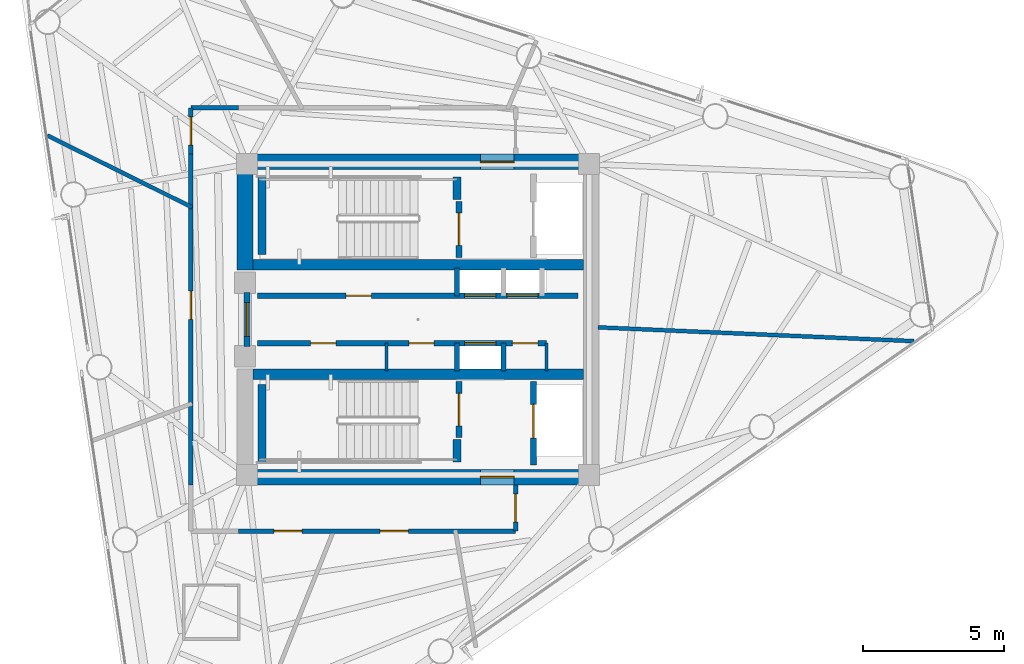
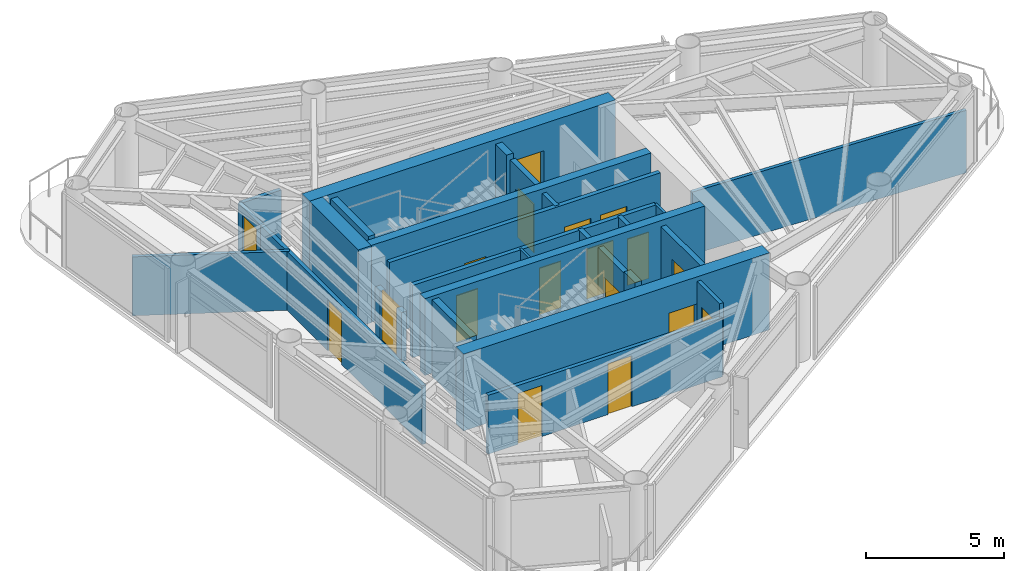
# One storey, part 5 of 9: 27 walls, 18 doors, 18 openings.
"""IFC4 building model written with IfcOpenShell, lengths in metres."""

import ifcopenshell
import ifcopenshell.guid

model = None  # the IFC model being written
_history = None  # IfcOwnerHistory: only IFC2X3 demands one
_inside = {}  # id of a spatial element -> (the spatial element, [elements in it])
_under = {}  # id of a project, library or spatial element -> (it, [spatial elements below it])
_declared = {}  # id of a project -> (the project, [libraries it declares])
_typed = {}  # id of a type object -> (the type object, [elements of that type])
_made_of = {}  # id of a material, layer set ... -> (it, [elements and type objects made of it])


def new_model(schema):
    """Start an empty IFC model of exactly this schema.

    Asked for "IFC4X3", IfcOpenShell would pick the latest addendum, in which some entities
    have other attributes; the version numbers below select the first issue.
    IFC2X3 requires an IfcOwnerHistory on every rooted entity: one is made here for all.
    """
    global model, _history
    if schema == "IFC4X3":
        model = ifcopenshell.file(schema_version=(4, 3, 0, 0))
    else:
        model = ifcopenshell.file(schema=schema)
    _inside.clear()
    _under.clear()
    _declared.clear()
    _typed.clear()
    _made_of.clear()
    _history = None
    if model.schema == "IFC2X3":
        org = make("IfcOrganization", Name="unknown")
        user = make(
            "IfcPersonAndOrganization",
            ThePerson=make("IfcPerson", FamilyName="unknown"),
            TheOrganization=org,
        )
        app = make(
            "IfcApplication",
            ApplicationDeveloper=org,
            Version="unknown",
            ApplicationFullName="unknown",
            ApplicationIdentifier="unknown",
        )
        _history = make(
            "IfcOwnerHistory",
            OwningUser=user,
            OwningApplication=app,
            ChangeAction="ADDED",
            CreationDate=0,
        )
    return model


def make(cls, **values):
    """One entity of the class cls with the attributes given. An attribute that is None is left unset."""
    return model.create_entity(
        cls, **{name: value for name, value in values.items() if value is not None}
    )


def rooted(cls, **values):
    """An entity with a GlobalId (a new one), such as an element, a storey or a relation."""
    return make(cls, GlobalId=ifcopenshell.guid.new(), OwnerHistory=_history, **values)


def si_unit(unit_type, name, prefix=None):
    """IfcSIUnit, for example si_unit("LENGTHUNIT", "METRE", prefix="MILLI")."""
    return make("IfcSIUnit", UnitType=unit_type, Prefix=prefix, Name=name)


def assignment(units):
    """IfcUnitAssignment: the units of a project."""
    return None if units is None else make("IfcUnitAssignment", Units=units)


def point(xyz):
    """IfcCartesianPoint."""
    return None if xyz is None else make("IfcCartesianPoint", Coordinates=xyz)


def direction(xyz):
    """IfcDirection."""
    return None if xyz is None else make("IfcDirection", DirectionRatios=xyz)


def frame(location, z_axis=None, x_axis=None):
    """IfcAxis2Placement3D, a coordinate frame: its origin and axes. An axis left out is left unset."""
    return make(
        "IfcAxis2Placement3D",
        Location=point(location),
        Axis=direction(z_axis),
        RefDirection=direction(x_axis),
    )


def frame_2d(location, x_axis=None):
    """IfcAxis2Placement2D, a coordinate frame in the plane: its origin and x axis."""
    return make(
        "IfcAxis2Placement2D", Location=point(location), RefDirection=direction(x_axis)
    )


def origin():
    """The frame at (0, 0, 0) with its axes left unset."""
    return frame((0.0, 0.0, 0.0))


def place(relative_to, where):
    """IfcLocalPlacement: puts the frame where relative to a parent placement (None: the world)."""
    return make(
        "IfcLocalPlacement", PlacementRelTo=relative_to, RelativePlacement=where
    )


def context(
    kind, dimensions, precision=None, world=None, true_north=None, identifier=None
):
    """IfcGeometricRepresentationContext, for example the 3D "Model" context."""
    return make(
        "IfcGeometricRepresentationContext",
        ContextIdentifier=identifier,
        ContextType=kind,
        CoordinateSpaceDimension=dimensions,
        Precision=precision,
        WorldCoordinateSystem=world,
        TrueNorth=true_north,
    )


def subcontext(parent, identifier, kind, view, scale=None):
    """IfcGeometricRepresentationSubContext, for example "Body" below "Model"."""
    return make(
        "IfcGeometricRepresentationSubContext",
        ContextIdentifier=identifier,
        ContextType=kind,
        ParentContext=parent,
        TargetScale=scale,
        TargetView=view,
    )


def project(units=None, contexts=None):
    """IfcProject with its units and contexts."""
    return rooted(
        "IfcProject",
        Name="project",
        RepresentationContexts=contexts,
        UnitsInContext=assignment(units),
    )


def spatial(cls, under=None, at=None, **own):
    """A site, building, storey or space (cls), placed at a placement, below another one or the project."""
    s = rooted(cls, ObjectPlacement=at, **own)
    if under is not None:
        _under.setdefault(under.id(), (under, []))[1].append(s)
    return s


def profile(cls, at=None, kind="AREA", **sizes):
    """A parametric profile (cls). Its sizes go by their IFC names, for example OverallWidth=200.0."""
    return make(cls, ProfileType=kind, Position=at, **sizes)


def rectangle(**sizes):
    """IfcRectangleProfileDef."""
    return profile("IfcRectangleProfileDef", **sizes)


def extrude(swept, where, along, depth):
    """IfcExtrudedAreaSolid: the profile swept, set in the frame where, extruded along a direction by depth."""
    return make(
        "IfcExtrudedAreaSolid",
        SweptArea=swept,
        Position=where,
        ExtrudedDirection=direction(along),
        Depth=depth,
    )


def shape(context_of_items, identifier, shape_type, items):
    """IfcShapeRepresentation: the items that make up one representation, for example the "Body"."""
    return make(
        "IfcShapeRepresentation",
        ContextOfItems=context_of_items,
        RepresentationIdentifier=identifier,
        RepresentationType=shape_type,
        Items=items,
    )


def material(Name=None, Category=None):
    """IfcMaterial."""
    return make("IfcMaterial", Name=Name, Category=Category)


def layer(
    of_material, thickness, ventilated=None, Name=None, Category=None, Priority=None
):
    """IfcMaterialLayer: one layer of a wall or slab, of a material (None: an air gap)."""
    return make(
        "IfcMaterialLayer",
        Material=of_material,
        LayerThickness=thickness,
        IsVentilated=ventilated,
        Name=Name,
        Category=Category,
        Priority=Priority,
    )


def layer_set(layers, Name=None):
    """IfcMaterialLayerSet."""
    return make("IfcMaterialLayerSet", MaterialLayers=layers, LayerSetName=Name)


def made_of(thing, what):
    """Note that an element or type object is made of a material, layer set ...; save() writes the relation."""
    if what is not None:
        _made_of.setdefault(what.id(), (what, []))[1].append(thing)
    return thing


def type_object(cls, material=None, **own):
    """A type object (cls), such as IfcWallType, which elements share."""
    return made_of(rooted(cls, **own), material)


def element(
    cls,
    number,
    at=None,
    inside=None,
    cuts=None,
    type_object=None,
    material=None,
    context=None,
    identifier="Body",
    shape_type=None,
    held_by="IfcProductDefinitionShape",
    body=None,
    shapes=None,
    **own,
):
    """One element of the class cls, such as IfcWall. Its Tag is "e" and its number.

    at: its placement. inside: the storey or other place that contains it. cuts: it is an
    opening in that element (IfcRelVoidsElement). A single representation is given by context,
    identifier, shape_type and body (its items); several are given by shapes. held_by: the class
    of the entity that holds the representations. save() writes the other relations.
    """
    e = rooted(cls, Tag="e%d" % number, ObjectPlacement=at, **own)
    if body is not None:
        shapes = [shape(context, identifier, shape_type, body)]
    if shapes is not None:
        e.Representation = make(held_by, Representations=shapes)
    if inside is not None:
        _inside.setdefault(inside.id(), (inside, []))[1].append(e)
    if cuts is not None:
        rooted(
            "IfcRelVoidsElement", RelatingBuildingElement=cuts, RelatedOpeningElement=e
        )
    if type_object is not None:
        _typed.setdefault(type_object.id(), (type_object, []))[1].append(e)
    return made_of(e, material)


def fill(opening, filler):
    """IfcRelFillsElement: the door or window that sits in an opening."""
    return rooted(
        "IfcRelFillsElement",
        RelatingOpeningElement=opening,
        RelatedBuildingElement=filler,
    )


def aggregate(whole, parts):
    """IfcRelAggregates: a whole, such as a stair, and the parts it consists of."""
    return rooted("IfcRelAggregates", RelatingObject=whole, RelatedObjects=parts)


def save(model, path):
    """Write the relations noted so far, then the file.

    IfcRelAggregates (storeys below a building ...), IfcRelContainedInSpatialStructure (elements
    in a storey), IfcRelDefinesByType, IfcRelAssociatesMaterial and IfcRelDeclares: one each for
    every whole, place, type object, material and project.
    """
    for whole, parts in _under.values():
        aggregate(whole, parts)
    for where, things in _inside.values():
        rooted(
            "IfcRelContainedInSpatialStructure",
            RelatedElements=things,
            RelatingStructure=where,
        )
    for kind, things in _typed.values():
        rooted("IfcRelDefinesByType", RelatedObjects=things, RelatingType=kind)
    for what, things in _made_of.values():
        rooted("IfcRelAssociatesMaterial", RelatedObjects=things, RelatingMaterial=what)
    for by, libraries in _declared.values():
        rooted("IfcRelDeclares", RelatingContext=by, RelatedDefinitions=libraries)
    model.write(path)


model = new_model("IFC4")

# Units and contexts
model_context = context("Model", 3, precision=1e-05, world=origin(), true_north=direction((0.0, 1.0)))
body_context = subcontext(model_context, "Body", "Model", "MODEL_VIEW")
ifc_project = project(units=[si_unit("LENGTHUNIT", "METRE"), si_unit("AREAUNIT", "SQUARE_METRE"), si_unit("VOLUMEUNIT", "CUBIC_METRE"), si_unit("PLANEANGLEUNIT", "RADIAN"), si_unit("MASSUNIT", "GRAM", prefix="KILO")], contexts=[model_context])

# Site, building, storey
site_placement = place(None, origin())
site = spatial("IfcSite", under=ifc_project, at=site_placement, CompositionType="ELEMENT")
building_placement = place(site_placement, origin())
building = spatial("IfcBuilding", under=site, at=building_placement, Name="Yunling Apex Tower", CompositionType="ELEMENT")
storey_placement = place(building_placement, frame((0.0, 0.0, 274.550048828125)))
storey = spatial("IfcBuildingStorey", under=building, at=storey_placement, Name="L67", CompositionType="ELEMENT", Elevation=274.550048828125)

# Wall, opening, door
ifc_material_1 = material(Name="Concrete C40", Category="concrete")
ifc_layer_1 = layer(ifc_material_1, 0.550048828125)
ifc_layer_set_1 = layer_set([ifc_layer_1], Name="Concrete C40")
wall_type_1 = type_object("IfcWallType", Name="WL-COR-3", PredefinedType="SHEAR", material=ifc_layer_set_1)
wall_1_placement = place(storey_placement, frame((-6.39990234375, 5.574951171875, 0.0), z_axis=(0.0, 0.0, 1.0), x_axis=(1.0, 0.0, 0.0)))
wall_1 = element("IfcWall", 1, at=wall_1_placement, inside=storey, type_object=wall_type_1, Name="L67 North Core Shear Wall", PredefinedType="SHEAR", context=body_context, shape_type="SweptSolid", body=[
    extrude(rectangle(XDim=12.7998046875, YDim=0.550048828125, at=frame_2d((6.39990234375, 0.0))), origin(), (0.0, 0.0, 1.0), 3.39990234375),
])
opening_1_placement = place(wall_1_placement, frame((8.60009765625, 0.0, 0.0)))
opening_1 = element("IfcOpeningElement", 2, at=opening_1_placement, cuts=wall_1, Name="Opening DR-FFL-1", PredefinedType="OPENING", context=body_context, shape_type="SweptSolid", body=[
    extrude(rectangle(XDim=1.199951171875, YDim=2.199951171875, at=frame_2d((0.60009765625, 1.10009765625))), frame((0.0, 0.28515625, 0.0), z_axis=(0.0, -1.0, 0.0), x_axis=(1.0, 0.0, 0.0)), (0.0, 0.0, 1.0), 0.570068359375),
])
ifc_material_2 = material(Name="Steel Q355B", Category="steel")
door_type_1 = type_object("IfcDoorType", Name="DR-FFL-1", OperationType="NOTDEFINED", PredefinedType="DOOR", material=ifc_material_2)
door_1_placement = place(opening_1_placement, origin())
door_1 = element("IfcDoor", 3, at=door_1_placement, inside=storey, type_object=door_type_1, Name="L67 North Firefighting Lobby Door", OperationType="SINGLE_SWING_LEFT", OverallHeight=2.199951171875, OverallWidth=1.199951171875, PredefinedType="DOOR", context=body_context, shape_type="SweptSolid", body=[
    extrude(rectangle(XDim=1.199951171875, YDim=2.199951171875, at=frame_2d((0.60009765625, 1.10009765625))), frame((0.0, 0.02490234375, 0.0), z_axis=(0.0, -1.0, 0.0), x_axis=(1.0, 0.0, 0.0)), (0.0, 0.0, 1.0), 0.050048828125),
])
fill(opening_1, door_1)

wall_2_placement = place(storey_placement, frame((-6.39990234375, -5.574951171875, 0.0), z_axis=(0.0, 0.0, 1.0), x_axis=(1.0, 0.0, 0.0)))
wall_2 = element("IfcWall", 4, at=wall_2_placement, inside=storey, type_object=wall_type_1, Name="L67 South Core Shear Wall", PredefinedType="SHEAR", context=body_context, shape_type="SweptSolid", body=[
    extrude(rectangle(XDim=12.7998046875, YDim=0.550048828125, at=frame_2d((6.39990234375, 0.0))), origin(), (0.0, 0.0, 1.0), 3.39990234375),
])
opening_2_placement = place(wall_2_placement, frame((8.60009765625, 0.0, 0.0)))
opening_2 = element("IfcOpeningElement", 5, at=opening_2_placement, cuts=wall_2, Name="Opening DR-FFL-1", PredefinedType="OPENING", context=body_context, shape_type="SweptSolid", body=[
    extrude(rectangle(XDim=1.199951171875, YDim=2.199951171875, at=frame_2d((0.60009765625, 1.10009765625))), frame((0.0, 0.28515625, 0.0), z_axis=(0.0, -1.0, 0.0), x_axis=(1.0, 0.0, 0.0)), (0.0, 0.0, 1.0), 0.570068359375),
])
door_2_placement = place(opening_2_placement, origin())
door_2 = element("IfcDoor", 6, at=door_2_placement, inside=storey, type_object=door_type_1, Name="L67 South Firefighting Lobby Door", OperationType="SINGLE_SWING_RIGHT", OverallHeight=2.199951171875, OverallWidth=1.199951171875, PredefinedType="DOOR", context=body_context, shape_type="SweptSolid", body=[
    extrude(rectangle(XDim=1.199951171875, YDim=2.199951171875, at=frame_2d((0.60009765625, 1.10009765625))), frame((0.0, 0.02490234375, 0.0), z_axis=(0.0, -1.0, 0.0), x_axis=(1.0, 0.0, 0.0)), (0.0, 0.0, 1.0), 0.050048828125),
])
fill(opening_2, door_2)

# Walls
wall_3_placement = place(storey_placement, frame((-6.125, 1.75, 0.0), z_axis=(0.0, 0.0, 1.0), x_axis=(0.0, 1.0, 0.0)))
element("IfcWall", 7, at=wall_3_placement, inside=storey, type_object=wall_type_1, Name="L67 West-North Core Shear Wall", PredefinedType="SHEAR", context=body_context, shape_type="SweptSolid", body=[
    extrude(rectangle(XDim=3.550048828125, YDim=0.550048828125, at=frame_2d((1.77490234375, 0.0))), origin(), (0.0, 0.0, 1.0), 3.39990234375),
])
ifc_layer_2 = layer(ifc_material_1, 0.360107421875)
ifc_layer_set_2 = layer_set([ifc_layer_2], Name="Concrete C40")
wall_type_2 = type_object("IfcWallType", Name="WL-COR-4", PredefinedType="SHEAR", material=ifc_layer_set_2)
for number, where, z_axis, x_axis, name in (
    (8, (-5.85009765625, 1.93994140625, 0.0), (0.0, 0.0, 1.0), (1.0, 0.0, 0.0), "L67 North Internal Core Shear Wall"),
    (9, (-5.85009765625, -1.93994140625, 0.0), (0.0, 0.0, 1.0), (1.0, 0.0, 0.0), "L67 South Internal Core Shear Wall"),
):
    element("IfcWall", number, at=place(storey_placement, frame(where, z_axis=z_axis, x_axis=x_axis)), inside=storey, type_object=wall_type_2, Name=name, PredefinedType="SHEAR", context=body_context, shape_type="SweptSolid", body=[
        extrude(rectangle(XDim=11.7001953125, YDim=0.360107421875, at=frame_2d((5.85009765625, 0.0))), origin(), (0.0, 0.0, 1.0), 3.39990234375),
    ])
ifc_layer_3 = layer(ifc_material_1, 0.280029296875)
ifc_layer_set_3 = layer_set([ifc_layer_3], Name="Concrete C40")
wall_type_3 = type_object("IfcWallType", Name="WL-COR-8", PredefinedType="SHEAR", material=ifc_layer_set_3)
wall_4_placement = place(storey_placement, frame((-5.52001953125, 2.300048828125, 0.0), z_axis=(0.0, 0.0, 1.0), x_axis=(0.0, 1.0, 0.0)))
element("IfcWall", 10, at=wall_4_placement, inside=storey, type_object=wall_type_3, Name="L67 ST-1 West Landing Bearing Wall", PredefinedType="SHEAR", context=body_context, shape_type="SweptSolid", body=[
    extrude(rectangle(XDim=2.75, YDim=0.280029296875, at=frame_2d((1.375, 0.0))), origin(), (0.0, 0.0, 1.0), 3.39990234375),
])
wall_5_placement = place(storey_placement, frame((1.3798828125, 4.25, 0.0), z_axis=(0.0, 0.0, 1.0), x_axis=(0.0, 1.0, 0.0)))
element("IfcWall", 11, at=wall_5_placement, inside=storey, type_object=wall_type_3, Name="L67 ST-1 East Landing Bearing Pier", PredefinedType="SHEAR", context=body_context, shape_type="SweptSolid", body=[
    extrude(rectangle(XDim=0.800048828125, YDim=0.280029296875, at=frame_2d((0.39990234375, 0.0))), origin(), (0.0, 0.0, 1.0), 3.39990234375),
])
wall_6_placement = place(storey_placement, frame((-5.52001953125, -5.050048828125, 0.0), z_axis=(0.0, 0.0, 1.0), x_axis=(0.0, 1.0, 0.0)))
element("IfcWall", 12, at=wall_6_placement, inside=storey, type_object=wall_type_3, Name="L67 ST-2 West Landing Bearing Wall", PredefinedType="SHEAR", context=body_context, shape_type="SweptSolid", body=[
    extrude(rectangle(XDim=2.75, YDim=0.280029296875, at=frame_2d((1.375, 0.0))), origin(), (0.0, 0.0, 1.0), 3.39990234375),
])
wall_7_placement = place(storey_placement, frame((1.3798828125, -5.050048828125, 0.0), z_axis=(0.0, 0.0, 1.0), x_axis=(0.0, 1.0, 0.0)))
element("IfcWall", 13, at=wall_7_placement, inside=storey, type_object=wall_type_3, Name="L67 ST-2 East Landing Bearing Pier", PredefinedType="SHEAR", context=body_context, shape_type="SweptSolid", body=[
    extrude(rectangle(XDim=0.800048828125, YDim=0.280029296875, at=frame_2d((0.39990234375, 0.0))), origin(), (0.0, 0.0, 1.0), 3.39990234375),
])

# Wall, opening, door
ifc_material_3 = material(Name="Gypsum board acoustic partition")
ifc_layer_4 = layer(ifc_material_3, 0.159912109375)
ifc_layer_set_4 = layer_set([ifc_layer_4], Name="Gypsum board acoustic partition")
wall_type_4 = type_object("IfcWallType", Name="WL-PRT-1", PredefinedType="PARTITIONING", material=ifc_layer_set_4)
wall_8_placement = place(storey_placement, frame((-8.0400390625, 5.85009765625, 0.0), z_axis=(0.0, 0.0, 1.0), x_axis=(0.0, 1.0, 0.0)))
wall_8 = element("IfcWall", 14, at=wall_8_placement, inside=storey, type_object=wall_type_4, Name="WL-CORR-L67-01", PredefinedType="PARTITIONING", context=body_context, shape_type="SweptSolid", body=[
    extrude(rectangle(XDim=1.639892578125, YDim=0.159912109375, at=frame_2d((0.81982421875, 0.0))), origin(), (0.0, 0.0, 1.0), 2.60498046875),
])
opening_3_placement = place(wall_8_placement, frame((0.320068359375, 0.0, 0.0)))
opening_3 = element("IfcOpeningElement", 15, at=opening_3_placement, cuts=wall_8, Name="Opening DR-OFF-1", PredefinedType="OPENING", context=body_context, shape_type="SweptSolid", body=[
    extrude(rectangle(XDim=1.0, YDim=2.25, at=frame_2d((0.5, 1.125))), frame((0.0, 0.08984375, 0.0), z_axis=(0.0, -1.0, 0.0), x_axis=(1.0, 0.0, 0.0)), (0.0, 0.0, 1.0), 0.179931640625),
])
ifc_material_4 = material(Name="Bronze anodised aluminium", Category="aluminium")
door_type_2 = type_object("IfcDoorType", Name="DR-OFF-1", OperationType="NOTDEFINED", PredefinedType="DOOR", material=ifc_material_4)
door_3_placement = place(opening_3_placement, origin())
door_3 = element("IfcDoor", 16, at=door_3_placement, inside=storey, type_object=door_type_2, Name="L67 Residents Music Salon Door", OperationType="SINGLE_SWING_RIGHT", OverallHeight=2.25, OverallWidth=1.0, PredefinedType="DOOR", context=body_context, shape_type="SweptSolid", body=[
    extrude(rectangle(XDim=1.0, YDim=2.25, at=frame_2d((0.5, 1.125))), frame((0.0, 0.02490234375, 0.0), z_axis=(0.0, -1.0, 0.0), x_axis=(1.0, 0.0, 0.0)), (0.0, 0.0, 1.0), 0.050048828125),
])
fill(opening_3, door_3)

# Wall
wall_9_placement = place(storey_placement, frame((-8.0400390625, 7.489990234375, 0.0), z_axis=(0.0, 0.0, 1.0), x_axis=(1.0, 0.0, 0.0)))
element("IfcWall", 17, at=wall_9_placement, inside=storey, type_object=wall_type_4, Name="WL-CORR-L67-02", PredefinedType="PARTITIONING", context=body_context, shape_type="SweptSolid", body=[
    extrude(rectangle(XDim=1.679931640625, YDim=0.159912109375, at=frame_2d((0.83984375, 0.0))), origin(), (0.0, 0.0, 1.0), 2.60498046875),
])

# Wall, opening, door
wall_10_placement = place(storey_placement, frame((3.449951171875, -5.85009765625, 0.0), z_axis=(0.0, 0.0, 1.0), x_axis=(0.0, -1.0, 0.0)))
wall_10 = element("IfcWall", 18, at=wall_10_placement, inside=storey, type_object=wall_type_4, Name="WL-CORR-L67-05", PredefinedType="PARTITIONING", context=body_context, shape_type="SweptSolid", body=[
    extrude(rectangle(XDim=1.639892578125, YDim=0.159912109375, at=frame_2d((0.81982421875, 0.0))), origin(), (0.0, 0.0, 1.0), 3.199951171875),
])
opening_4_placement = place(wall_10_placement, frame((0.320068359375, 0.0, 0.0)))
opening_4 = element("IfcOpeningElement", 19, at=opening_4_placement, cuts=wall_10, Name="Opening DR-OFF-1", PredefinedType="OPENING", context=body_context, shape_type="SweptSolid", body=[
    extrude(rectangle(XDim=1.0, YDim=2.25, at=frame_2d((0.5, 1.125))), frame((0.0, 0.08984375, 0.0), z_axis=(0.0, -1.0, 0.0), x_axis=(1.0, 0.0, 0.0)), (0.0, 0.0, 1.0), 0.179931640625),
])
door_4_placement = place(opening_4_placement, origin())
door_4 = element("IfcDoor", 20, at=door_4_placement, inside=storey, type_object=door_type_2, Name="L67 Residents Cinema Club Door", OperationType="SINGLE_SWING_LEFT", OverallHeight=2.25, OverallWidth=1.0, PredefinedType="DOOR", context=body_context, shape_type="SweptSolid", body=[
    extrude(rectangle(XDim=1.0, YDim=2.25, at=frame_2d((0.5, 1.125))), frame((0.0, 0.02490234375, 0.0), z_axis=(0.0, -1.0, 0.0), x_axis=(1.0, 0.0, 0.0)), (0.0, 0.0, 1.0), 0.050048828125),
])
fill(opening_4, door_4)

# Wall, openings, doors
wall_11_placement = place(storey_placement, frame((3.449951171875, -7.489990234375, 0.0), z_axis=(0.0, 0.0, 1.0), x_axis=(-1.0, 0.0, 0.0)))
wall_11 = element("IfcWall", 21, at=wall_11_placement, inside=storey, type_object=wall_type_4, Name="WL-CORR-L67-06", PredefinedType="PARTITIONING", context=body_context, shape_type="SweptSolid", body=[
    extrude(rectangle(XDim=9.81005859375, YDim=0.159912109375, at=frame_2d((4.905029296875, 0.0))), origin(), (0.0, 0.0, 1.0), 2.60498046875),
])
opening_5_placement = place(wall_11_placement, frame((3.794677734375, 0.0, 0.0)))
opening_5 = element("IfcOpeningElement", 22, at=opening_5_placement, cuts=wall_11, Name="Opening DR-OFF-1", PredefinedType="OPENING", context=body_context, shape_type="SweptSolid", body=[
    extrude(rectangle(XDim=1.0, YDim=2.25, at=frame_2d((0.5, 1.125))), frame((0.0, 0.08984375, 0.0), z_axis=(0.0, -1.0, 0.0), x_axis=(1.0, 0.0, 0.0)), (0.0, 0.0, 1.0), 0.179931640625),
])
opening_6_placement = place(wall_11_placement, frame((7.552978515625, 0.0, 0.0)))
opening_6 = element("IfcOpeningElement", 23, at=opening_6_placement, cuts=wall_11, Name="Opening DR-OFF-1", PredefinedType="OPENING", context=body_context, shape_type="SweptSolid", body=[
    extrude(rectangle(XDim=1.0, YDim=2.25, at=frame_2d((0.5, 1.125))), frame((0.0, 0.08984375, 0.0), z_axis=(0.0, -1.0, 0.0), x_axis=(1.0, 0.0, 0.0)), (0.0, 0.0, 1.0), 0.179931640625),
])
door_5_placement = place(opening_5_placement, origin())
door_5 = element("IfcDoor", 24, at=door_5_placement, inside=storey, type_object=door_type_2, Name="L67 Residents Music Salon Door", OperationType="SINGLE_SWING_RIGHT", OverallHeight=2.25, OverallWidth=1.0, PredefinedType="DOOR", context=body_context, shape_type="SweptSolid", body=[
    extrude(rectangle(XDim=1.0, YDim=2.25, at=frame_2d((0.5, 1.125))), frame((0.0, 0.02490234375, 0.0), z_axis=(0.0, -1.0, 0.0), x_axis=(1.0, 0.0, 0.0)), (0.0, 0.0, 1.0), 0.050048828125),
])
fill(opening_5, door_5)
door_6_placement = place(opening_6_placement, origin())
door_6 = element("IfcDoor", 25, at=door_6_placement, inside=storey, type_object=door_type_2, Name="L67 Residents Cinema Club Door", OperationType="SINGLE_SWING_LEFT", OverallHeight=2.25, OverallWidth=1.0, PredefinedType="DOOR", context=body_context, shape_type="SweptSolid", body=[
    extrude(rectangle(XDim=1.0, YDim=2.25, at=frame_2d((0.5, 1.125))), frame((0.0, 0.02490234375, 0.0), z_axis=(0.0, -1.0, 0.0), x_axis=(1.0, 0.0, 0.0)), (0.0, 0.0, 1.0), 0.050048828125),
])
fill(opening_6, door_6)

# Wall, opening, door
wall_12_placement = place(storey_placement, frame((-8.0400390625, -5.85009765625, 0.0), z_axis=(0.0, 0.0, 1.0), x_axis=(0.0, 1.0, 0.0)))
wall_12 = element("IfcWall", 26, at=wall_12_placement, inside=storey, type_object=wall_type_4, Name="WL-CORR-L67-09", PredefinedType="PARTITIONING", context=body_context, shape_type="SweptSolid", body=[
    extrude(rectangle(XDim=11.7001953125, YDim=0.159912109375, at=frame_2d((5.85009765625, 0.0))), origin(), (0.0, 0.0, 1.0), 2.60498046875),
])
opening_7_placement = place(wall_12_placement, frame((5.85546875, 0.0, 0.0)))
opening_7 = element("IfcOpeningElement", 27, at=opening_7_placement, cuts=wall_12, Name="Opening DR-OFF-1", PredefinedType="OPENING", context=body_context, shape_type="SweptSolid", body=[
    extrude(rectangle(XDim=1.0, YDim=2.25, at=frame_2d((0.5, 1.125))), frame((0.0, 0.08984375, 0.0), z_axis=(0.0, -1.0, 0.0), x_axis=(1.0, 0.0, 0.0)), (0.0, 0.0, 1.0), 0.179931640625),
])
door_7_placement = place(opening_7_placement, origin())
door_7 = element("IfcDoor", 28, at=door_7_placement, inside=storey, type_object=door_type_2, Name="L67 Residents Cinema Club Door", OperationType="SINGLE_SWING_RIGHT", OverallHeight=2.25, OverallWidth=1.0, PredefinedType="DOOR", context=body_context, shape_type="SweptSolid", body=[
    extrude(rectangle(XDim=1.0, YDim=2.25, at=frame_2d((0.5, 1.125))), frame((0.0, 0.02490234375, 0.0), z_axis=(0.0, -1.0, 0.0), x_axis=(1.0, 0.0, 0.0)), (0.0, 0.0, 1.0), 0.050048828125),
])
fill(opening_7, door_7)

# Walls
ifc_layer_5 = layer(ifc_material_3, 0.139892578125)
ifc_layer_set_5 = layer_set([ifc_layer_5], Name="Gypsum board acoustic partition")
wall_type_5 = type_object("IfcWallType", Name="WL-PRT-2", PredefinedType="PARTITIONING", material=ifc_layer_set_5)
wall_13_placement = place(storey_placement, frame((6.360107421875, -0.277587890625, 0.0), z_axis=(0.0, 0.0, 1.0), x_axis=(0.999047788643, -0.043629302162, 0.0)))
element("IfcWall", 29, at=wall_13_placement, inside=storey, type_object=wall_type_5, Name="WL-RAD-L67-01", PredefinedType="PARTITIONING", context=body_context, shape_type="SweptSolid", body=[
    extrude(rectangle(XDim=11.197265625, YDim=0.139892578125, at=frame_2d((5.5986328125, 0.0))), origin(), (0.0, 0.0, 1.0), 2.764892578125),
])
wall_14_placement = place(storey_placement, frame((-8.0, 3.97119140625, 0.0), z_axis=(0.0, 0.0, 1.0), x_axis=(-0.895714476241, 0.444629707793, 0.0)))
element("IfcWall", 30, at=wall_14_placement, inside=storey, type_object=wall_type_5, Name="WL-RAD-L67-04", PredefinedType="PARTITIONING", context=body_context, shape_type="SweptSolid", body=[
    extrude(rectangle(XDim=5.7109375, YDim=0.139892578125, at=frame_2d((2.85546875, 0.0))), origin(), (0.0, 0.0, 1.0), 2.60498046875),
])
ifc_layer_6 = layer(ifc_material_3, 0.10009765625)
ifc_layer_set_6 = layer_set([ifc_layer_6], Name="Gypsum board acoustic partition")
wall_type_6 = type_object("IfcWallType", Name="WL-PRT-4", PredefinedType="PARTITIONING", material=ifc_layer_set_6)
for number, where, z_axis, x_axis, name in (
    (31, (-1.1201171875, -1.820068359375, 0.0), (0.0, 0.0, 1.0), (0.0, 1.0, 0.0), "WL-RECLMA-S-L67"),
    (32, (4.5400390625, -1.820068359375, 0.0), (0.0, 0.0, 1.0), (0.0, 1.0, 0.0), "WL-KASE-E-L67"),
):
    element("IfcWall", number, at=place(storey_placement, frame(where, z_axis=z_axis, x_axis=x_axis)), inside=storey, type_object=wall_type_6, Name=name, PredefinedType="PARTITIONING", context=body_context, shape_type="SweptSolid", body=[
        extrude(rectangle(XDim=0.97998046875, YDim=0.10009765625, at=frame_2d((0.489990234375, 0.0))), origin(), (0.0, 0.0, 1.0), 3.199951171875),
    ])

# Wall, opening, door
ifc_material_5 = material(Name="Autoclaved aerated concrete masonry", Category="masonry")
ifc_layer_7 = layer(ifc_material_5, 0.219970703125)
ifc_layer_set_7 = layer_set([ifc_layer_7], Name="Autoclaved aerated concrete masonry")
wall_type_7 = type_object("IfcWallType", Name="WL-SHF-1", PredefinedType="PLUMBINGWALL", material=ifc_layer_set_7)
wall_15_placement = place(storey_placement, frame((-6.050048828125, -0.949951171875, 0.0), z_axis=(0.0, 0.0, 1.0), x_axis=(0.0, 1.0, 0.0)))
wall_15 = element("IfcWall", 33, at=wall_15_placement, inside=storey, type_object=wall_type_7, Name="WL-COR-WPORT-L67", PredefinedType="PLUMBINGWALL", context=body_context, shape_type="SweptSolid", body=[
    extrude(rectangle(XDim=1.89990234375, YDim=0.219970703125, at=frame_2d((0.949951171875, 0.0))), origin(), (0.0, 0.0, 1.0), 2.179931640625),
])
opening_8_placement = place(wall_15_placement, frame((0.35009765625, 0.0, 0.0)))
opening_8 = element("IfcOpeningElement", 34, at=opening_8_placement, cuts=wall_15, Name="Opening DR-FFL-1", PredefinedType="OPENING", context=body_context, shape_type="SweptSolid", body=[
    extrude(rectangle(XDim=1.199951171875, YDim=2.199951171875, at=frame_2d((0.60009765625, 1.10009765625))), frame((0.0, 0.1201171875, 0.0), z_axis=(0.0, -1.0, 0.0), x_axis=(1.0, 0.0, 0.0)), (0.0, 0.0, 1.0), 0.239990234375),
])
door_8_placement = place(opening_8_placement, origin())
door_8 = element("IfcDoor", 35, at=door_8_placement, inside=storey, type_object=door_type_1, Name="L67 Passenger Lift Lobby Entrance Door", OperationType="SINGLE_SWING_RIGHT", OverallHeight=2.199951171875, OverallWidth=1.199951171875, PredefinedType="DOOR", context=body_context, shape_type="SweptSolid", body=[
    extrude(rectangle(XDim=1.199951171875, YDim=2.199951171875, at=frame_2d((0.60009765625, 1.10009765625))), frame((0.0, 0.02490234375, 0.0), z_axis=(0.0, -1.0, 0.0), x_axis=(1.0, 0.0, 0.0)), (0.0, 0.0, 1.0), 0.050048828125),
])
fill(opening_8, door_8)

wall_16_placement = place(storey_placement, frame((1.449951171875, 2.199951171875, 0.0), z_axis=(0.0, 0.0, 1.0), x_axis=(0.0, 1.0, 0.0)))
wall_16 = element("IfcWall", 36, at=wall_16_placement, inside=storey, type_object=wall_type_7, Name="WL-ST1-E-L67", PredefinedType="PLUMBINGWALL", context=body_context, shape_type="SweptSolid", body=[
    extrude(rectangle(XDim=1.97998046875, YDim=0.219970703125, at=frame_2d((0.989990234375, 0.0))), origin(), (0.0, 0.0, 1.0), 3.199951171875),
])
opening_9_placement = place(wall_16_placement, frame((0.419921875, 0.0, 0.0)))
opening_9 = element("IfcOpeningElement", 37, at=opening_9_placement, cuts=wall_16, Name="Opening DR-ST-1", PredefinedType="OPENING", context=body_context, shape_type="SweptSolid", body=[
    extrude(rectangle(XDim=1.14990234375, YDim=2.14990234375, at=frame_2d((0.574951171875, 1.074951171875))), frame((0.0, 0.1201171875, 0.0), z_axis=(0.0, -1.0, 0.0), x_axis=(1.0, 0.0, 0.0)), (0.0, 0.0, 1.0), 0.239990234375),
])
door_type_3 = type_object("IfcDoorType", Name="DR-ST-1", OperationType="NOTDEFINED", PredefinedType="DOOR", material=ifc_material_2)
door_9_placement = place(opening_9_placement, origin())
door_9 = element("IfcDoor", 38, at=door_9_placement, inside=storey, type_object=door_type_3, Name="L67 Stair ST-1 Fire Door", OperationType="SINGLE_SWING_LEFT", OverallHeight=2.14990234375, OverallWidth=1.14990234375, PredefinedType="DOOR", context=body_context, shape_type="SweptSolid", body=[
    extrude(rectangle(XDim=1.14990234375, YDim=2.14990234375, at=frame_2d((0.574951171875, 1.074951171875))), frame((0.0, 0.02490234375, 0.0), z_axis=(0.0, -1.0, 0.0), x_axis=(1.0, 0.0, 0.0)), (0.0, 0.0, 1.0), 0.050048828125),
])
fill(opening_9, door_9)

wall_17_placement = place(storey_placement, frame((1.449951171875, -4.179931640625, 0.0), z_axis=(0.0, 0.0, 1.0), x_axis=(0.0, 1.0, 0.0)))
wall_17 = element("IfcWall", 39, at=wall_17_placement, inside=storey, type_object=wall_type_7, Name="WL-ST2-E-L67", PredefinedType="PLUMBINGWALL", context=body_context, shape_type="SweptSolid", body=[
    extrude(rectangle(XDim=1.97998046875, YDim=0.219970703125, at=frame_2d((0.989990234375, 0.0))), origin(), (0.0, 0.0, 1.0), 3.199951171875),
])
opening_10_placement = place(wall_17_placement, frame((0.419921875, 0.0, 0.0)))
opening_10 = element("IfcOpeningElement", 40, at=opening_10_placement, cuts=wall_17, Name="Opening DR-ST-1", PredefinedType="OPENING", context=body_context, shape_type="SweptSolid", body=[
    extrude(rectangle(XDim=1.14990234375, YDim=2.14990234375, at=frame_2d((0.574951171875, 1.074951171875))), frame((0.0, 0.1201171875, 0.0), z_axis=(0.0, -1.0, 0.0), x_axis=(1.0, 0.0, 0.0)), (0.0, 0.0, 1.0), 0.239990234375),
])
door_10_placement = place(opening_10_placement, origin())
door_10 = element("IfcDoor", 41, at=door_10_placement, inside=storey, type_object=door_type_3, Name="L67 Stair ST-2 Fire Door", OperationType="SINGLE_SWING_RIGHT", OverallHeight=2.14990234375, OverallWidth=1.14990234375, PredefinedType="DOOR", context=body_context, shape_type="SweptSolid", body=[
    extrude(rectangle(XDim=1.14990234375, YDim=2.14990234375, at=frame_2d((0.574951171875, 1.074951171875))), frame((0.0, 0.02490234375, 0.0), z_axis=(0.0, -1.0, 0.0), x_axis=(1.0, 0.0, 0.0)), (0.0, 0.0, 1.0), 0.050048828125),
])
fill(opening_10, door_10)

wall_18_placement = place(storey_placement, frame((4.080078125, -5.14990234375, 0.0), z_axis=(0.0, 0.0, 1.0), x_axis=(0.0, 1.0, 0.0)))
wall_18 = element("IfcWall", 42, at=wall_18_placement, inside=storey, type_object=wall_type_7, Name="WL-FFL2-W-L67", PredefinedType="PLUMBINGWALL", context=body_context, shape_type="SweptSolid", body=[
    extrude(rectangle(XDim=2.949951171875, YDim=0.219970703125, at=frame_2d((1.47509765625, 0.0))), origin(), (0.0, 0.0, 1.0), 3.199951171875),
])
opening_11_placement = place(wall_18_placement, frame((0.949951171875, 0.0, 0.0)))
opening_11 = element("IfcOpeningElement", 43, at=opening_11_placement, cuts=wall_18, Name="Opening LD-FFL-1", PredefinedType="OPENING", context=body_context, shape_type="SweptSolid", body=[
    extrude(rectangle(XDim=1.199951171875, YDim=2.25, at=frame_2d((0.60009765625, 1.125))), frame((0.0, 0.1201171875, 0.0), z_axis=(0.0, -1.0, 0.0), x_axis=(1.0, 0.0, 0.0)), (0.0, 0.0, 1.0), 0.239990234375),
])
door_type_4 = type_object("IfcDoorType", Name="LD-FFL-1", OperationType="DOUBLE_DOOR_SLIDING", PredefinedType="DOOR", material=ifc_material_2)
door_11_placement = place(opening_11_placement, origin())
door_11 = element("IfcDoor", 44, at=door_11_placement, inside=storey, type_object=door_type_4, Name="L67 Lift FFL-2 Landing Door", OperationType="DOUBLE_DOOR_SLIDING", OverallHeight=2.25, OverallWidth=1.199951171875, PredefinedType="DOOR", context=body_context, shape_type="SweptSolid", body=[
    extrude(rectangle(XDim=1.199951171875, YDim=2.25, at=frame_2d((0.60009765625, 1.125))), frame((0.0, 0.02490234375, 0.0), z_axis=(0.0, -1.0, 0.0), x_axis=(1.0, 0.0, 0.0)), (0.0, 0.0, 1.0), 0.050048828125),
])
fill(opening_11, door_11)

# Walls
ifc_layer_8 = layer(ifc_material_5, 0.179931640625)
ifc_layer_set_8 = layer_set([ifc_layer_8], Name="Autoclaved aerated concrete masonry")
wall_type_8 = type_object("IfcWallType", Name="WL-SHF-2", PredefinedType="PLUMBINGWALL", material=ifc_layer_set_8)
for number, where, z_axis, x_axis, name in (
    (45, (1.3798828125, 0.840087890625, 0.0), (0.0, 0.0, 1.0), (0.0, 1.0, 0.0), "WL-BNK-MH-N-L67"),
    (46, (1.3798828125, -1.820068359375, 0.0), (0.0, 0.0, 1.0), (0.0, 1.0, 0.0), "WL-BNK-MH-S-L67"),
    (47, (3.02001953125, -1.820068359375, 0.0), (0.0, 0.0, 1.0), (0.0, 1.0, 0.0), "WL-END-H2E-L67"),
):
    element("IfcWall", number, at=place(storey_placement, frame(where, z_axis=z_axis, x_axis=x_axis)), inside=storey, type_object=wall_type_8, Name=name, PredefinedType="PLUMBINGWALL", context=body_context, shape_type="SweptSolid", body=[
        extrude(rectangle(XDim=0.97998046875, YDim=0.179931640625, at=frame_2d((0.489990234375, 0.0))), origin(), (0.0, 0.0, 1.0), 3.199951171875),
    ])

# Wall, openings, doors
wall_19_placement = place(storey_placement, frame((-5.679931640625, 0.840087890625, 0.0), z_axis=(0.0, 0.0, 1.0), x_axis=(1.0, 0.0, 0.0)))
wall_19 = element("IfcWall", 48, at=wall_19_placement, inside=storey, type_object=wall_type_8, Name="WL-LOB-N-L67", PredefinedType="PLUMBINGWALL", context=body_context, shape_type="SweptSolid", body=[
    extrude(rectangle(XDim=11.329833984375, YDim=0.179931640625, at=frame_2d((5.6650390625, 0.0))), origin(), (0.0, 0.0, 1.0), 3.199951171875),
])
opening_12_placement = place(wall_19_placement, frame((3.1298828125, 0.0, 0.0)))
opening_12 = element("IfcOpeningElement", 49, at=opening_12_placement, cuts=wall_19, Name="Opening DR-SHF-1", PredefinedType="OPENING", context=body_context, shape_type="SweptSolid", body=[
    extrude(rectangle(XDim=0.89990234375, YDim=2.050048828125, at=frame_2d((0.449951171875, 1.02490234375))), frame((0.0, 0.10009765625, 0.0), z_axis=(0.0, -1.0, 0.0), x_axis=(1.0, 0.0, 0.0)), (0.0, 0.0, 1.0), 0.199951171875),
])
opening_13_placement = place(wall_19_placement, frame((7.330078125, 0.0, 0.0)))
opening_13 = element("IfcOpeningElement", 50, at=opening_13_placement, cuts=wall_19, Name="Opening LD-PAS-1", PredefinedType="OPENING", context=body_context, shape_type="SweptSolid", body=[
    extrude(rectangle(XDim=1.10009765625, YDim=2.199951171875, at=frame_2d((0.550048828125, 1.10009765625))), frame((0.0, 0.10009765625, 0.0), z_axis=(0.0, -1.0, 0.0), x_axis=(1.0, 0.0, 0.0)), (0.0, 0.0, 1.0), 0.199951171875),
])
opening_14_placement = place(wall_19_placement, frame((8.830078125, 0.0, 0.0)))
opening_14 = element("IfcOpeningElement", 51, at=opening_14_placement, cuts=wall_19, Name="Opening LD-PAS-1", PredefinedType="OPENING", context=body_context, shape_type="SweptSolid", body=[
    extrude(rectangle(XDim=1.10009765625, YDim=2.199951171875, at=frame_2d((0.550048828125, 1.10009765625))), frame((0.0, 0.10009765625, 0.0), z_axis=(0.0, -1.0, 0.0), x_axis=(1.0, 0.0, 0.0)), (0.0, 0.0, 1.0), 0.199951171875),
])
door_type_5 = type_object("IfcDoorType", Name="DR-SHF-1", OperationType="NOTDEFINED", PredefinedType="DOOR", material=ifc_material_2)
door_12_placement = place(opening_12_placement, origin())
door_12 = element("IfcDoor", 52, at=door_12_placement, inside=storey, type_object=door_type_5, Name="L67 Archive Store Door", OperationType="SINGLE_SWING_LEFT", OverallHeight=2.050048828125, OverallWidth=0.89990234375, PredefinedType="DOOR", context=body_context, shape_type="SweptSolid", body=[
    extrude(rectangle(XDim=0.89990234375, YDim=2.050048828125, at=frame_2d((0.449951171875, 1.02490234375))), frame((0.0, 0.02490234375, 0.0), z_axis=(0.0, -1.0, 0.0), x_axis=(1.0, 0.0, 0.0)), (0.0, 0.0, 1.0), 0.050048828125),
])
fill(opening_12, door_12)
ifc_material_6 = material(Name="Silver anodised aluminium", Category="aluminium")
door_type_6 = type_object("IfcDoorType", Name="LD-PAS-1", OperationType="DOUBLE_DOOR_SLIDING", PredefinedType="DOOR", material=ifc_material_6)
door_13_placement = place(opening_13_placement, origin())
door_13 = element("IfcDoor", 53, at=door_13_placement, inside=storey, type_object=door_type_6, Name="L67 Lift PL-H1 Landing Door", OperationType="DOUBLE_DOOR_SLIDING", OverallHeight=2.199951171875, OverallWidth=1.10009765625, PredefinedType="DOOR", context=body_context, shape_type="SweptSolid", body=[
    extrude(rectangle(XDim=1.10009765625, YDim=2.199951171875, at=frame_2d((0.550048828125, 1.10009765625))), frame((0.0, 0.02490234375, 0.0), z_axis=(0.0, -1.0, 0.0), x_axis=(1.0, 0.0, 0.0)), (0.0, 0.0, 1.0), 0.050048828125),
])
fill(opening_13, door_13)
door_14_placement = place(opening_14_placement, origin())
door_14 = element("IfcDoor", 54, at=door_14_placement, inside=storey, type_object=door_type_6, Name="L67 Lift PL-H3 Landing Door", OperationType="DOUBLE_DOOR_SLIDING", OverallHeight=2.199951171875, OverallWidth=1.10009765625, PredefinedType="DOOR", context=body_context, shape_type="SweptSolid", body=[
    extrude(rectangle(XDim=1.10009765625, YDim=2.199951171875, at=frame_2d((0.550048828125, 1.10009765625))), frame((0.0, 0.02490234375, 0.0), z_axis=(0.0, -1.0, 0.0), x_axis=(1.0, 0.0, 0.0)), (0.0, 0.0, 1.0), 0.050048828125),
])
fill(opening_14, door_14)

wall_20_placement = place(storey_placement, frame((-5.679931640625, -0.840087890625, 0.0), z_axis=(0.0, 0.0, 1.0), x_axis=(1.0, 0.0, 0.0)))
wall_20 = element("IfcWall", 55, at=wall_20_placement, inside=storey, type_object=wall_type_8, Name="WL-LOB-S-L67", PredefinedType="PLUMBINGWALL", context=body_context, shape_type="SweptSolid", body=[
    extrude(rectangle(XDim=10.219970703125, YDim=0.179931640625, at=frame_2d((5.10986328125, 0.0))), origin(), (0.0, 0.0, 1.0), 3.199951171875),
])
opening_15_placement = place(wall_20_placement, frame((1.8798828125, 0.0, 0.0)))
opening_15 = element("IfcOpeningElement", 56, at=opening_15_placement, cuts=wall_20, Name="Opening DR-SHF-1", PredefinedType="OPENING", context=body_context, shape_type="SweptSolid", body=[
    extrude(rectangle(XDim=0.89990234375, YDim=2.050048828125, at=frame_2d((0.449951171875, 1.02490234375))), frame((0.0, 0.10009765625, 0.0), z_axis=(0.0, -1.0, 0.0), x_axis=(1.0, 0.0, 0.0)), (0.0, 0.0, 1.0), 0.199951171875),
])
opening_16_placement = place(wall_20_placement, frame((5.35009765625, 0.0, 0.0)))
opening_16 = element("IfcOpeningElement", 57, at=opening_16_placement, cuts=wall_20, Name="Opening DR-SHF-1", PredefinedType="OPENING", context=body_context, shape_type="SweptSolid", body=[
    extrude(rectangle(XDim=0.89990234375, YDim=2.050048828125, at=frame_2d((0.449951171875, 1.02490234375))), frame((0.0, 0.10009765625, 0.0), z_axis=(0.0, -1.0, 0.0), x_axis=(1.0, 0.0, 0.0)), (0.0, 0.0, 1.0), 0.199951171875),
])
opening_17_placement = place(wall_20_placement, frame((7.330078125, 0.0, 0.0)))
opening_17 = element("IfcOpeningElement", 58, at=opening_17_placement, cuts=wall_20, Name="Opening LD-PAS-1", PredefinedType="OPENING", context=body_context, shape_type="SweptSolid", body=[
    extrude(rectangle(XDim=1.10009765625, YDim=2.199951171875, at=frame_2d((0.550048828125, 1.10009765625))), frame((0.0, 0.10009765625, 0.0), z_axis=(0.0, -1.0, 0.0), x_axis=(1.0, 0.0, 0.0)), (0.0, 0.0, 1.0), 0.199951171875),
])
opening_18_placement = place(wall_20_placement, frame((9.02001953125, 0.0, 0.0)))
opening_18 = element("IfcOpeningElement", 59, at=opening_18_placement, cuts=wall_20, Name="Opening DR-SHF-1", PredefinedType="OPENING", context=body_context, shape_type="SweptSolid", body=[
    extrude(rectangle(XDim=0.89990234375, YDim=2.050048828125, at=frame_2d((0.449951171875, 1.02490234375))), frame((0.0, 0.10009765625, 0.0), z_axis=(0.0, -1.0, 0.0), x_axis=(1.0, 0.0, 0.0)), (0.0, 0.0, 1.0), 0.199951171875),
])
door_15_placement = place(opening_15_placement, origin())
door_15 = element("IfcDoor", 60, at=door_15_placement, inside=storey, type_object=door_type_5, Name="L67 MEP Plant Door", OperationType="SINGLE_SWING_RIGHT", OverallHeight=2.050048828125, OverallWidth=0.89990234375, PredefinedType="DOOR", context=body_context, shape_type="SweptSolid", body=[
    extrude(rectangle(XDim=0.89990234375, YDim=2.050048828125, at=frame_2d((0.449951171875, 1.02490234375))), frame((0.0, 0.02490234375, 0.0), z_axis=(0.0, -1.0, 0.0), x_axis=(1.0, 0.0, 0.0)), (0.0, 0.0, 1.0), 0.050048828125),
])
fill(opening_15, door_15)
door_16_placement = place(opening_16_placement, origin())
door_16 = element("IfcDoor", 61, at=door_16_placement, inside=storey, type_object=door_type_5, Name="L67 Cleaners Store Door", OperationType="SINGLE_SWING_LEFT", OverallHeight=2.050048828125, OverallWidth=0.89990234375, PredefinedType="DOOR", context=body_context, shape_type="SweptSolid", body=[
    extrude(rectangle(XDim=0.89990234375, YDim=2.050048828125, at=frame_2d((0.449951171875, 1.02490234375))), frame((0.0, 0.02490234375, 0.0), z_axis=(0.0, -1.0, 0.0), x_axis=(1.0, 0.0, 0.0)), (0.0, 0.0, 1.0), 0.050048828125),
])
fill(opening_16, door_16)
door_17_placement = place(opening_18_placement, origin())
door_17 = element("IfcDoor", 62, at=door_17_placement, inside=storey, type_object=door_type_5, Name="L67 Core Electrical Room Door", OperationType="SINGLE_SWING_RIGHT", OverallHeight=2.050048828125, OverallWidth=0.89990234375, PredefinedType="DOOR", context=body_context, shape_type="SweptSolid", body=[
    extrude(rectangle(XDim=0.89990234375, YDim=2.050048828125, at=frame_2d((0.449951171875, 1.02490234375))), frame((0.0, 0.02490234375, 0.0), z_axis=(0.0, -1.0, 0.0), x_axis=(1.0, 0.0, 0.0)), (0.0, 0.0, 1.0), 0.050048828125),
])
fill(opening_18, door_17)
door_18_placement = place(opening_17_placement, origin())
door_18 = element("IfcDoor", 63, at=door_18_placement, inside=storey, type_object=door_type_6, Name="L67 Lift PL-H2 Landing Door", OperationType="DOUBLE_DOOR_SLIDING", OverallHeight=2.199951171875, OverallWidth=1.10009765625, PredefinedType="DOOR", context=body_context, shape_type="SweptSolid", body=[
    extrude(rectangle(XDim=1.10009765625, YDim=2.199951171875, at=frame_2d((0.550048828125, 1.10009765625))), frame((0.0, 0.02490234375, 0.0), z_axis=(0.0, -1.0, 0.0), x_axis=(1.0, 0.0, 0.0)), (0.0, 0.0, 1.0), 0.050048828125),
])
fill(opening_17, door_18)

save(model, "model.ifc")
